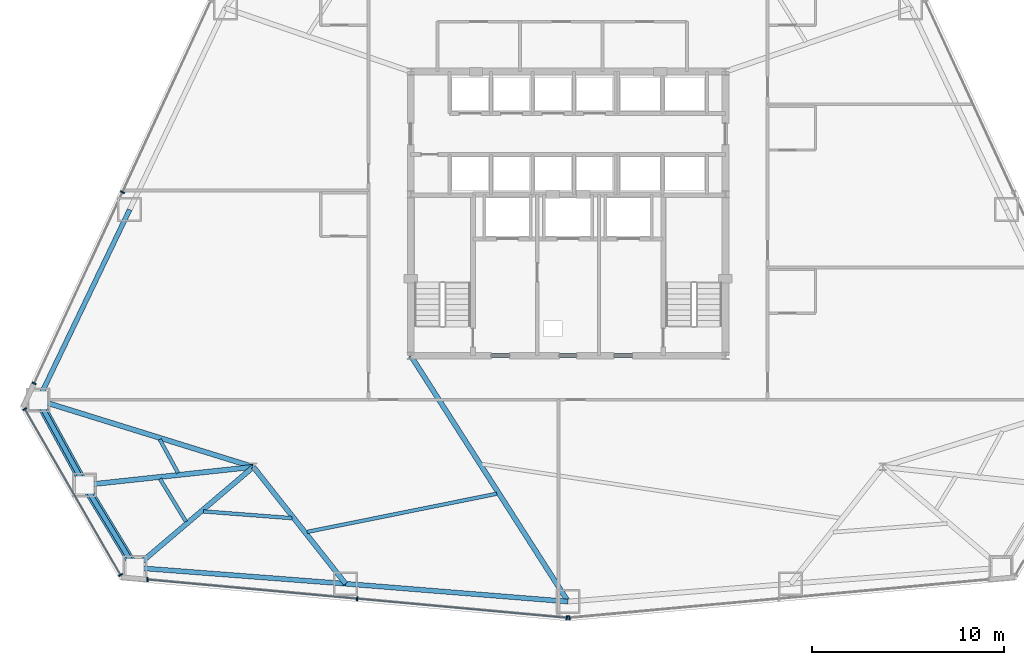
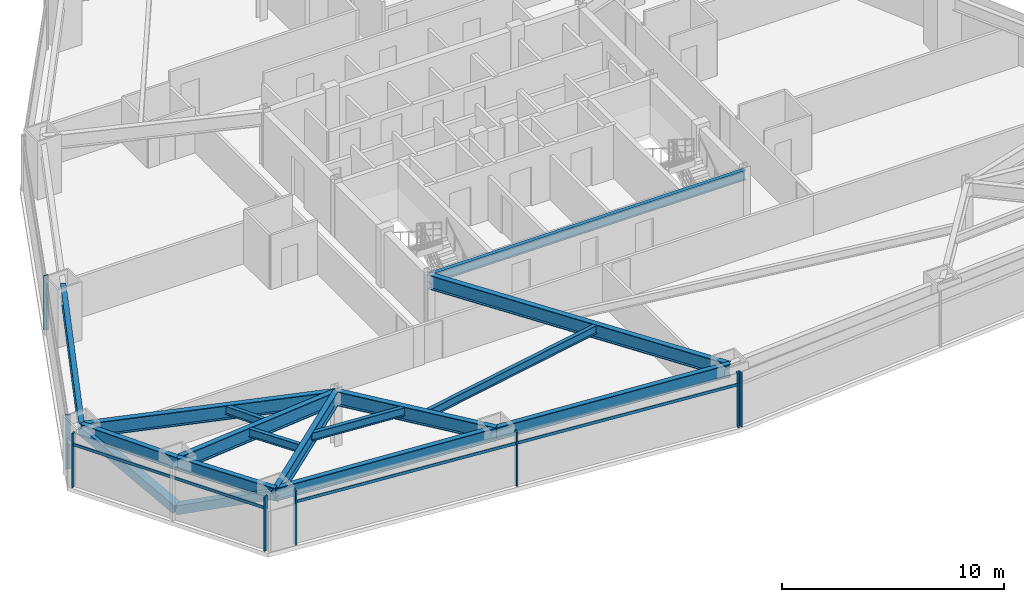
# One storey, part 4 of 12: 15 beams, 12 members, 4 elements without a shape of their own.
"""IFC4 building model written with IfcOpenShell, lengths in metres."""

from ifc_helpers import new_model, si_unit, direction, frame, origin, origin_2d, place, context, subcontext, project, spatial, rectangle, hollow_rectangle, i_section, extrude, source, transform, mapped, material, layer, layer_set, material_profile, profile_set, type_object, type_shapes, element, aggregate, save


model = new_model("IFC4")

# Units and contexts
model_context = context("Model", 3, precision=1e-05, world=origin(), true_north=direction((0.0, 1.0)))
body_context = subcontext(model_context, "Body", "Model", "MODEL_VIEW")
ifc_project = project(units=[si_unit("LENGTHUNIT", "METRE"), si_unit("AREAUNIT", "SQUARE_METRE"), si_unit("VOLUMEUNIT", "CUBIC_METRE"), si_unit("PLANEANGLEUNIT", "RADIAN"), si_unit("MASSUNIT", "GRAM", prefix="KILO")], contexts=[model_context])

# Site, building, storey
site_placement = place(None, origin())
site = spatial("IfcSite", under=ifc_project, at=site_placement, CompositionType="ELEMENT")
building_placement = place(site_placement, origin())
building = spatial("IfcBuilding", under=site, at=building_placement, Name="Varakhsha Concourse Tower", CompositionType="ELEMENT")
storey_placement = place(building_placement, frame((0.0, 0.0, 43.199951171875)))
storey = spatial("IfcBuildingStorey", under=building, at=storey_placement, Name="L11", CompositionType="ELEMENT", Elevation=43.199951171875)

# Beams
ifc_material_1 = material(Name="Structural Steel ASTM A992 Grade 50", Category="steel")
ifc_material_profile_1 = material_profile(ifc_material_1, i_section(OverallWidth=0.26611328125, OverallDepth=0.779052734375, WebThickness=0.01708984375, FlangeThickness=0.030029296875, at=origin_2d()), Name="W30X148")
ifc_profile_set_1 = profile_set([ifc_material_profile_1], Name="Structural Steel ASTM A992 Grade 50")
beam_type_1 = type_object("IfcBeamType", Name="BM-BASE-W30X148", PredefinedType="USERDEFINED", material=ifc_profile_set_1)
beam_1_placement = place(storey_placement, frame((23.60009765625, 10.60009765625, 2.590576171875), z_axis=(-0.955056624601, 0.2964234198, 0.0), x_axis=(-0.2964234198, -0.955056624601, 0.0)))
element("IfcBeam", 1, at=beam_1_placement, inside=storey, type_object=beam_type_1, Name="L11 Radial Floor Girder 07", ObjectType="GIRDER", PredefinedType="USERDEFINED", context=body_context, shape_type="SweptSolid", body=[
    extrude(i_section(OverallWidth=0.26611328125, OverallDepth=0.779052734375, WebThickness=0.01708984375, FlangeThickness=0.030029296875, at=origin_2d()), origin(), (0.0, 0.0, 1.0), 11.73828125),
])
beam_2_placement = place(storey_placement, frame((23.60009765625, 10.60009765625, 2.590576171875), z_axis=(-0.994280497061, -0.106800248893, 0.0), x_axis=(0.106800248893, -0.994280497061, 0.0)))
element("IfcBeam", 2, at=beam_2_placement, inside=storey, type_object=beam_type_1, Name="L11 Radial Floor Girder 08", ObjectType="GIRDER", PredefinedType="USERDEFINED", context=body_context, shape_type="SweptSolid", body=[
    extrude(i_section(OverallWidth=0.26611328125, OverallDepth=0.779052734375, WebThickness=0.01708984375, FlangeThickness=0.030029296875, at=origin_2d()), origin(), (0.0, 0.0, 1.0), 8.842041015625),
])
beam_3_placement = place(storey_placement, frame((23.60009765625, 10.60009765625, 2.590576171875), z_axis=(-0.761498250571, -0.648166964892, 0.0), x_axis=(0.648166964892, -0.761498250571, 0.0)))
element("IfcBeam", 3, at=beam_3_placement, inside=storey, type_object=beam_type_1, Name="L11 Radial Floor Girder 09", ObjectType="GIRDER", PredefinedType="USERDEFINED", context=body_context, shape_type="SweptSolid", body=[
    extrude(i_section(OverallWidth=0.26611328125, OverallDepth=0.779052734375, WebThickness=0.01708984375, FlangeThickness=0.030029296875, at=origin_2d()), origin(), (0.0, 0.0, 1.0), 8.10205078125),
])
beam_4_placement = place(storey_placement, frame((23.60009765625, 10.60009765625, 2.590576171875), z_axis=(0.619646329508, -0.78488115427, 0.0), x_axis=(0.78488115427, 0.619646329508, 0.0)))
element("IfcBeam", 4, at=beam_4_placement, inside=storey, type_object=beam_type_1, Name="L11 Radial Floor Girder 10", ObjectType="GIRDER", PredefinedType="USERDEFINED", context=body_context, shape_type="SweptSolid", body=[
    extrude(i_section(OverallWidth=0.26611328125, OverallDepth=0.779052734375, WebThickness=0.01708984375, FlangeThickness=0.030029296875, at=origin_2d()), origin(), (0.0, 0.0, 1.0), 7.757080078125),
])
beam_5_placement = place(storey_placement, frame((31.800048828125, 16.39990234375, 2.590576171875), z_axis=(0.538905712871, -0.842366091812, 0.0), x_axis=(0.842366091812, 0.538905712871, 0.0)))
element("IfcBeam", 5, at=beam_5_placement, inside=storey, type_object=beam_type_1, Name="L11 Radial Floor Girder 11", ObjectType="GIRDER", PredefinedType="USERDEFINED", context=body_context, shape_type="SweptSolid", body=[
    extrude(i_section(OverallWidth=0.26611328125, OverallDepth=0.779052734375, WebThickness=0.01708984375, FlangeThickness=0.030029296875, at=origin_2d()), origin(), (0.0, 0.0, 1.0), 15.2158203125),
])
ifc_material_profile_2 = material_profile(ifc_material_1, i_section(OverallWidth=0.19091796875, OverallDepth=0.45703125, WebThickness=0.009033203125, FlangeThickness=0.013916015625, at=origin_2d()), Name="W18X50")
ifc_profile_set_2 = profile_set([ifc_material_profile_2], Name="Structural Steel ASTM A992 Grade 50")
beam_type_2 = type_object("IfcBeamType", Name="BM-JST-W18X50", PredefinedType="JOIST", material=ifc_profile_set_2)
beam_6_placement = place(storey_placement, frame((18.72021484375, 12.03466796875, 2.75146484375), z_axis=(0.479699205935, -0.877433001332, 0.0), x_axis=(0.877433001332, 0.479699205935, 0.0)))
element("IfcBeam", 6, at=beam_6_placement, inside=storey, type_object=beam_type_2, Name="BM-TJST-L11-07", PredefinedType="JOIST", context=body_context, shape_type="SweptSolid", body=[
    extrude(i_section(OverallWidth=0.19091796875, OverallDepth=0.45703125, WebThickness=0.009033203125, FlangeThickness=0.013916015625, at=origin_2d()), origin(), (0.0, 0.0, 1.0), 1.99853515625),
])
beam_7_placement = place(storey_placement, frame((18.73388671875, 9.977294921875, 2.75146484375), z_axis=(0.520000486842, -0.854165963782, 0.0), x_axis=(0.854165963782, 0.520000486842, 0.0)))
element("IfcBeam", 7, at=beam_7_placement, inside=storey, type_object=beam_type_2, Name="BM-TJST-L11-08", PredefinedType="JOIST", context=body_context, shape_type="SweptSolid", body=[
    extrude(i_section(OverallWidth=0.19091796875, OverallDepth=0.45703125, WebThickness=0.009033203125, FlangeThickness=0.013916015625, at=origin_2d()), origin(), (0.0, 0.0, 1.0), 2.603759765625),
])
beam_8_placement = place(storey_placement, frame((20.9951171875, 8.281005859375, 2.75146484375), z_axis=(0.997104898325, -0.076038291245, 0.0), x_axis=(0.076038291245, 0.997104898325, 0.0)))
element("IfcBeam", 8, at=beam_8_placement, inside=storey, type_object=beam_type_2, Name="BM-TJST-L11-09", PredefinedType="JOIST", context=body_context, shape_type="SweptSolid", body=[
    extrude(i_section(OverallWidth=0.19091796875, OverallDepth=0.45703125, WebThickness=0.009033203125, FlangeThickness=0.013916015625, at=origin_2d()), origin(), (0.0, 0.0, 1.0), 4.62353515625),
])
beam_9_placement = place(storey_placement, frame((26.399658203125, 7.212158203125, 2.75146484375), z_axis=(0.980358396777, 0.19722427302, 0.0), x_axis=(-0.19722427302, 0.980358396777, 0.0)))
element("IfcBeam", 9, at=beam_9_placement, inside=storey, type_object=beam_type_2, Name="BM-TJST-L11-10", PredefinedType="JOIST", context=body_context, shape_type="SweptSolid", body=[
    extrude(i_section(OverallWidth=0.19091796875, OverallDepth=0.45703125, WebThickness=0.009033203125, FlangeThickness=0.013916015625, at=origin_2d()), origin(), (0.0, 0.0, 1.0), 10.08251953125),
])
ifc_material_profile_3 = material_profile(ifc_material_1, i_section(OverallWidth=0.2109375, OverallDepth=0.5390625, WebThickness=0.011962890625, FlangeThickness=0.01904296875, at=origin_2d()), Name="W21X73")
ifc_profile_set_3 = profile_set([ifc_material_profile_3], Name="Structural Steel ASTM A992 Grade 50")
beam_type_3 = type_object("IfcBeamType", Name="BM-RAD-W21X73", PredefinedType="BEAM", material=ifc_profile_set_3)
beam_10_placement = place(storey_placement, frame((31.800048828125, 16.39990234375, 2.71044921875), z_axis=(1.0, 0.0, 0.0), x_axis=(0.0, 1.0, 0.0)))
element("IfcBeam", 10, at=beam_10_placement, inside=storey, type_object=beam_type_3, Name="BM-TCORE-L11-CS", PredefinedType="BEAM", context=body_context, shape_type="SweptSolid", body=[
    extrude(i_section(OverallWidth=0.2109375, OverallDepth=0.5390625, WebThickness=0.011962890625, FlangeThickness=0.01904296875, at=origin_2d()), origin(), (0.0, 0.0, 1.0), 16.39990234375),
])
ifc_material_profile_4 = material_profile(ifc_material_1, i_section(OverallWidth=0.25390625, OverallDepth=0.701904296875, WebThickness=0.014892578125, FlangeThickness=0.028076171875, at=origin_2d()), Name="W27X129")
ifc_profile_set_4 = profile_set([ifc_material_profile_4], Name="Structural Steel ASTM A992 Grade 50")
beam_type_4 = type_object("IfcBeamType", Name="BM-SPAN-W27X129", PredefinedType="SPANDREL", material=ifc_profile_set_4)
beam_11_placement = place(storey_placement, frame((17.15283203125, 24.004150390625, 2.629150390625), z_axis=(-0.432704390999, -0.901535861744, 0.0), x_axis=(0.901535861744, -0.432704390999, 0.0)))
element("IfcBeam", 11, at=beam_11_placement, inside=storey, type_object=beam_type_4, Name="BM-SPAN-L11-06", PredefinedType="SPANDREL", context=body_context, shape_type="SweptSolid", body=[
    extrude(i_section(OverallWidth=0.25390625, OverallDepth=0.701904296875, WebThickness=0.014892578125, FlangeThickness=0.028076171875, at=origin_2d()), origin(), (0.0, 0.0, 1.0), 11.008544921875),
])
beam_12_placement = place(storey_placement, frame((12.389404296875, 14.07958984375, 2.629150390625), z_axis=(0.479798364466, -0.87737878334, 0.0), x_axis=(0.87737878334, 0.479798364466, 0.0)))
element("IfcBeam", 12, at=beam_12_placement, inside=storey, type_object=beam_type_4, Name="BM-SPAN-L11-07", PredefinedType="SPANDREL", context=body_context, shape_type="SweptSolid", body=[
    extrude(i_section(OverallWidth=0.25390625, OverallDepth=0.701904296875, WebThickness=0.014892578125, FlangeThickness=0.028076171875, at=origin_2d()), origin(), (0.0, 0.0, 1.0), 5.0419921875),
])
beam_13_placement = place(storey_placement, frame((14.80859375, 9.65576171875, 2.629150390625), z_axis=(0.519960770998, -0.85419014079, 0.0), x_axis=(0.85419014079, 0.519960770998, 0.0)))
element("IfcBeam", 13, at=beam_13_placement, inside=storey, type_object=beam_type_4, Name="BM-SPAN-L11-08", PredefinedType="SPANDREL", context=body_context, shape_type="SweptSolid", body=[
    extrude(i_section(OverallWidth=0.25390625, OverallDepth=0.701904296875, WebThickness=0.014892578125, FlangeThickness=0.028076171875, at=origin_2d()), origin(), (0.0, 0.0, 1.0), 5.042236328125),
])
beam_14_placement = place(storey_placement, frame((17.430419921875, 5.3486328125, 2.629150390625), z_axis=(0.997105791948, -0.076026572094, 0.0), x_axis=(0.076026572094, 0.997105791948, 0.0)))
element("IfcBeam", 14, at=beam_14_placement, inside=storey, type_object=beam_type_4, Name="BM-SPAN-L11-09", PredefinedType="SPANDREL", context=body_context, shape_type="SweptSolid", body=[
    extrude(i_section(OverallWidth=0.25390625, OverallDepth=0.701904296875, WebThickness=0.014892578125, FlangeThickness=0.028076171875, at=origin_2d()), origin(), (0.0, 0.0, 1.0), 11.008056640625),
])
beam_15_placement = place(storey_placement, frame((28.40673828125, 4.51171875, 2.629150390625), z_axis=(0.996803386739, -0.079893730572, 0.0), x_axis=(0.079893730572, 0.996803386739, 0.0)))
element("IfcBeam", 15, at=beam_15_placement, inside=storey, type_object=beam_type_4, Name="BM-SPAN-L11-10", PredefinedType="SPANDREL", context=body_context, shape_type="SweptSolid", body=[
    extrude(i_section(OverallWidth=0.25390625, OverallDepth=0.701904296875, WebThickness=0.014892578125, FlangeThickness=0.028076171875, at=origin_2d()), origin(), (0.0, 0.0, 1.0), 11.63037109375),
])

# Members
ifc_material_2 = material(Name="Structural Steel ASTM A500 Grade C", Category="steel")
ifc_material_profile_5 = material_profile(ifc_material_2, hollow_rectangle(XDim=0.449951171875, YDim=0.449951171875, WallThickness=0.01904296875, at=origin_2d()), Name="HSS 450x450x19")
ifc_profile_set_5 = profile_set([ifc_material_profile_5], Name="Structural Steel ASTM A500 Grade C")
member_type_1 = type_object("IfcMemberType", Name="MB-TUBE-HSS450", PredefinedType="BRACE", material=ifc_profile_set_5)
shared_shape_1 = source(origin(), body_context, "Body", "SweptSolid", [
    extrude(hollow_rectangle(XDim=0.449951171875, YDim=0.449951171875, WallThickness=0.01904296875, at=origin_2d()), origin(), (0.0, 0.0, 1.0), 5.65478515625),
])
member_1_placement = place(storey_placement, frame((14.80859375, 9.65576171875, 0.1201171875), z_axis=(-0.427820906288, 0.782330691487, 0.452689696481), x_axis=(-0.87737878334, -0.479798364466, 0.0)))
element("IfcMember", 16, at=member_1_placement, inside=storey, type_object=member_type_1, Name="L11 Wind-Corner Tube Brace B03", PredefinedType="BRACE", context=body_context, shape_type="MappedRepresentation", body=[
    mapped(shared_shape_1, transform((0.0, 0.0, 0.0), scale=1.0)),
])
shared_shape_2 = source(origin(), body_context, "Body", "SweptSolid", [
    extrude(hollow_rectangle(XDim=0.449951171875, YDim=0.449951171875, WallThickness=0.01904296875, at=origin_2d()), origin(), (0.0, 0.0, 1.0), 5.655029296875),
])
type_shapes(member_type_1, [shared_shape_1, shared_shape_2])
member_2_placement = place(storey_placement, frame((14.80859375, 9.65576171875, 0.1201171875), z_axis=(0.463637300017, -0.761662095809, 0.452671299998), x_axis=(0.85419014079, 0.519960770998, 0.0)))
element("IfcMember", 17, at=member_2_placement, inside=storey, type_object=member_type_1, Name="L11 Wind-Corner Tube Brace B04", PredefinedType="BRACE", context=body_context, shape_type="MappedRepresentation", body=[
    mapped(shared_shape_2, transform((0.0, 0.0, 0.0), scale=1.0)),
])

# Curtain wall, members
ifc_material_3 = material(Name="Anodised Bronze Architectural Aluminium AA 6063-T6", Category="aluminium")
ifc_layer = layer(ifc_material_3, 0.219970703125, Name="CW-SYS-02")
ifc_layer_set = layer_set([ifc_layer], Name="Anodised Bronze Architectural Aluminium AA 6063-T6")
curtain_wall_type = type_object("IfcCurtainWallType", Name="CW-SYS-02", PredefinedType="NOTDEFINED", material=ifc_layer_set)
curtain_wall_1_placement = place(storey_placement, origin())
curtain_wall_1 = element("IfcCurtainWall", 18, at=curtain_wall_1_placement, inside=storey, type_object=curtain_wall_type, Name="L11 Crystal Curtain Wall F3", PredefinedType="NOTDEFINED")
ifc_material_profile_6 = material_profile(ifc_material_3, rectangle(XDim=0.074951171875, YDim=0.219970703125, at=origin_2d()), Name="CWM-220X75")
ifc_profile_set_6 = profile_set([ifc_material_profile_6], Name="Anodised Bronze Architectural Aluminium AA 6063-T6")
member_type_2 = type_object("IfcMemberType", Name="CWM-220X75", PredefinedType="MULLION", material=ifc_profile_set_6)
shared_shape_3 = source(origin(), body_context, "Body", "SweptSolid", [
    extrude(rectangle(XDim=0.074951171875, YDim=0.219970703125, at=origin_2d()), origin(), (0.0, 0.0, 1.0), 2.97998046875),
])
type_shapes(member_type_2, [shared_shape_3])
member_3_placement = place(storey_placement, frame((12.179931640625, 14.953369140625, 0.0), z_axis=(0.0, 0.0, 1.0), x_axis=(0.419269871381, 0.907861649676, 0.0)))
member_3 = element("IfcMember", 19, at=member_3_placement, type_object=member_type_2, Name="CW-L11-F3 Mullion 00", PredefinedType="MULLION", context=body_context, shape_type="MappedRepresentation", body=[
    mapped(shared_shape_3, transform((0.0, 0.0, 0.0), scale=1.0)),
])
member_4_placement = place(storey_placement, frame((16.780029296875, 24.914306640625, 0.0), z_axis=(0.0, 0.0, 1.0), x_axis=(0.419269871381, 0.907861649676, 0.0)))
member_4 = element("IfcMember", 20, at=member_4_placement, type_object=member_type_2, Name="CW-L11-F3 Mullion 01", PredefinedType="MULLION", context=body_context, shape_type="MappedRepresentation", body=[
    mapped(shared_shape_3, transform((0.0, 0.0, 0.0), scale=1.0)),
])
aggregate(curtain_wall_1, [member_3, member_4])

curtain_wall_2_placement = place(storey_placement, origin())
curtain_wall_2 = element("IfcCurtainWall", 21, at=curtain_wall_2_placement, inside=storey, type_object=curtain_wall_type, Name="L11 Chamfer Curtain Wall F4", PredefinedType="NOTDEFINED")
member_5_placement = place(storey_placement, frame((16.68212890625, 4.970458984375, 0.0), z_axis=(0.0, 0.0, 1.0), x_axis=(-0.4999984885, 0.866026276448, 0.0)))
member_5 = element("IfcMember", 22, at=member_5_placement, type_object=member_type_2, Name="CW-L11-F4 Mullion 00", PredefinedType="MULLION", context=body_context, shape_type="MappedRepresentation", body=[
    mapped(shared_shape_3, transform((0.0, 0.0, 0.0), scale=1.0)),
])
member_6_placement = place(storey_placement, frame((11.68798828125, 13.620849609375, 0.0), z_axis=(0.0, 0.0, 1.0), x_axis=(-0.4999984885, 0.866026276448, 0.0)))
member_6 = element("IfcMember", 23, at=member_6_placement, type_object=member_type_2, Name="CW-L11-F4 Mullion 01", PredefinedType="MULLION", context=body_context, shape_type="MappedRepresentation", body=[
    mapped(shared_shape_3, transform((0.0, 0.0, 0.0), scale=1.0)),
])

curtain_wall_3_placement = place(storey_placement, origin())
curtain_wall_3 = element("IfcCurtainWall", 24, at=curtain_wall_3_placement, inside=storey, type_object=curtain_wall_type, Name="L11 Crystal Curtain Wall F5", PredefinedType="NOTDEFINED")
member_7_placement = place(storey_placement, frame((39.934814453125, 2.7373046875, 0.0), z_axis=(0.0, 0.0, 1.0), x_axis=(-0.995866028897, 0.090834203295, 0.0)))
member_7 = element("IfcMember", 25, at=member_7_placement, type_object=member_type_2, Name="CW-L11-F5 Mullion 00", PredefinedType="MULLION", context=body_context, shape_type="MappedRepresentation", body=[
    mapped(shared_shape_3, transform((0.0, 0.0, 0.0), scale=1.0)),
])
member_8_placement = place(storey_placement, frame((29.008544921875, 3.73388671875, 0.0), z_axis=(0.0, 0.0, 1.0), x_axis=(-0.995866028897, 0.090834203295, 0.0)))
member_8 = element("IfcMember", 26, at=member_8_placement, type_object=member_type_2, Name="CW-L11-F5 Mullion 01", PredefinedType="MULLION", context=body_context, shape_type="MappedRepresentation", body=[
    mapped(shared_shape_3, transform((0.0, 0.0, 0.0), scale=1.0)),
])
member_9_placement = place(storey_placement, frame((18.082275390625, 4.73046875, 0.0), z_axis=(0.0, 0.0, 1.0), x_axis=(-0.995866028897, 0.090834203295, 0.0)))
member_9 = element("IfcMember", 27, at=member_9_placement, type_object=member_type_2, Name="CW-L11-F5 Mullion 02", PredefinedType="MULLION", context=body_context, shape_type="MappedRepresentation", body=[
    mapped(shared_shape_3, transform((0.0, 0.0, 0.0), scale=1.0)),
])

# Curtain wall, member
curtain_wall_4_placement = place(storey_placement, origin())
curtain_wall_4 = element("IfcCurtainWall", 28, at=curtain_wall_4_placement, inside=storey, type_object=curtain_wall_type, Name="L11 Crystal Curtain Wall F6", PredefinedType="NOTDEFINED")
member_10_placement = place(storey_placement, frame((40.065185546875, 2.7373046875, 0.0), z_axis=(0.0, 0.0, 1.0), x_axis=(-0.995866028897, -0.090834203295, 0.0)))
member_10 = element("IfcMember", 29, at=member_10_placement, type_object=member_type_2, Name="CW-L11-F6 Mullion 02", PredefinedType="MULLION", context=body_context, shape_type="MappedRepresentation", body=[
    mapped(shared_shape_3, transform((0.0, 0.0, 0.0), scale=1.0)),
])
aggregate(curtain_wall_4, [member_10])

# Member
ifc_material_profile_7 = material_profile(ifc_material_3, rectangle(XDim=0.06494140625, YDim=0.159912109375, at=origin_2d()), Name="CWT-160X65")
ifc_profile_set_7 = profile_set([ifc_material_profile_7], Name="Anodised Bronze Architectural Aluminium AA 6063-T6")
member_type_3 = type_object("IfcMemberType", Name="CWT-160X65", PredefinedType="USERDEFINED", material=ifc_profile_set_7)
shared_shape_4 = source(origin(), body_context, "Body", "SweptSolid", [
    extrude(rectangle(XDim=0.06494140625, YDim=0.159912109375, at=origin_2d()), origin(), (0.0, 0.0, 1.0), 21.943359375),
])
member_11_placement = place(storey_placement, frame((39.934814453125, 2.7373046875, 2.330078125), z_axis=(-0.995866167966, 0.09083267859, 0.0), x_axis=(-0.09083267859, -0.995866167966, 0.0)))
member_11 = element("IfcMember", 30, at=member_11_placement, type_object=member_type_3, Name="CW-L11-F5 Transom 01", ObjectType="TRANSOM", PredefinedType="USERDEFINED", context=body_context, shape_type="MappedRepresentation", body=[
    mapped(shared_shape_4, transform((0.0, 0.0, 0.0), scale=1.0)),
])

aggregate(curtain_wall_3, [member_7, member_8, member_9, member_11])

shared_shape_5 = source(origin(), body_context, "Body", "SweptSolid", [
    extrude(rectangle(XDim=0.06494140625, YDim=0.159912109375, at=origin_2d()), origin(), (0.0, 0.0, 1.0), 9.988525390625),
])
type_shapes(member_type_3, [shared_shape_4, shared_shape_5])
member_12_placement = place(storey_placement, frame((16.68212890625, 4.970458984375, 2.330078125), z_axis=(-0.499987630939, 0.866032544947, 0.0), x_axis=(-0.866032544947, -0.499987630939, 0.0)))
member_12 = element("IfcMember", 31, at=member_12_placement, type_object=member_type_3, Name="CW-L11-F4 Transom 01", ObjectType="TRANSOM", PredefinedType="USERDEFINED", context=body_context, shape_type="MappedRepresentation", body=[
    mapped(shared_shape_5, transform((0.0, 0.0, 0.0), scale=1.0)),
])

aggregate(curtain_wall_2, [member_5, member_6, member_12])

save(model, "model.ifc")
